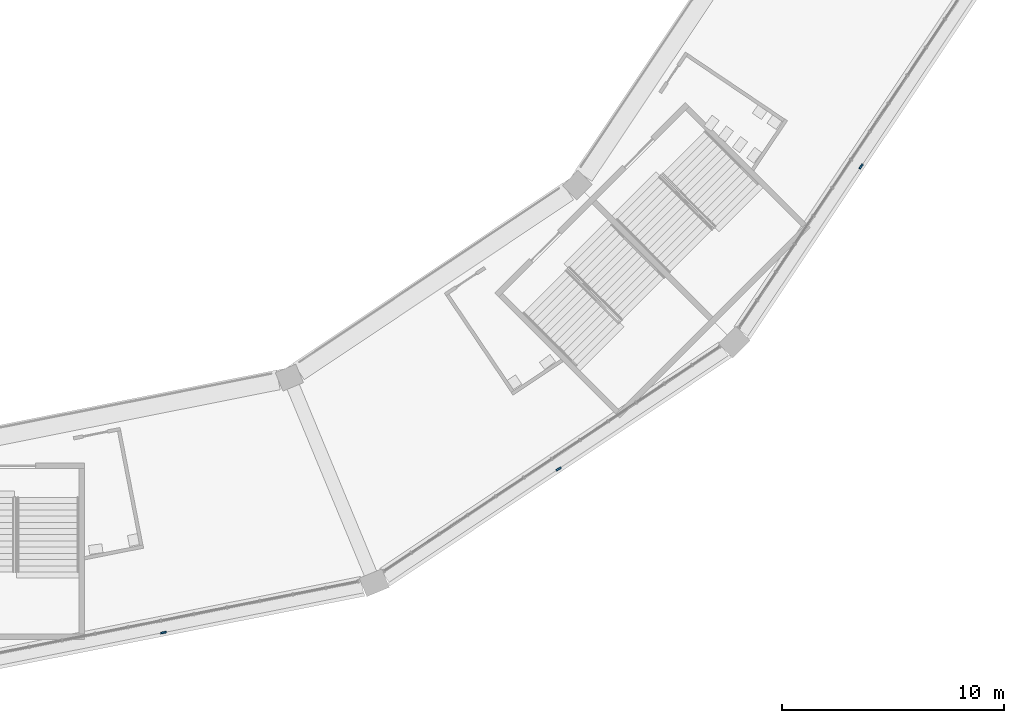
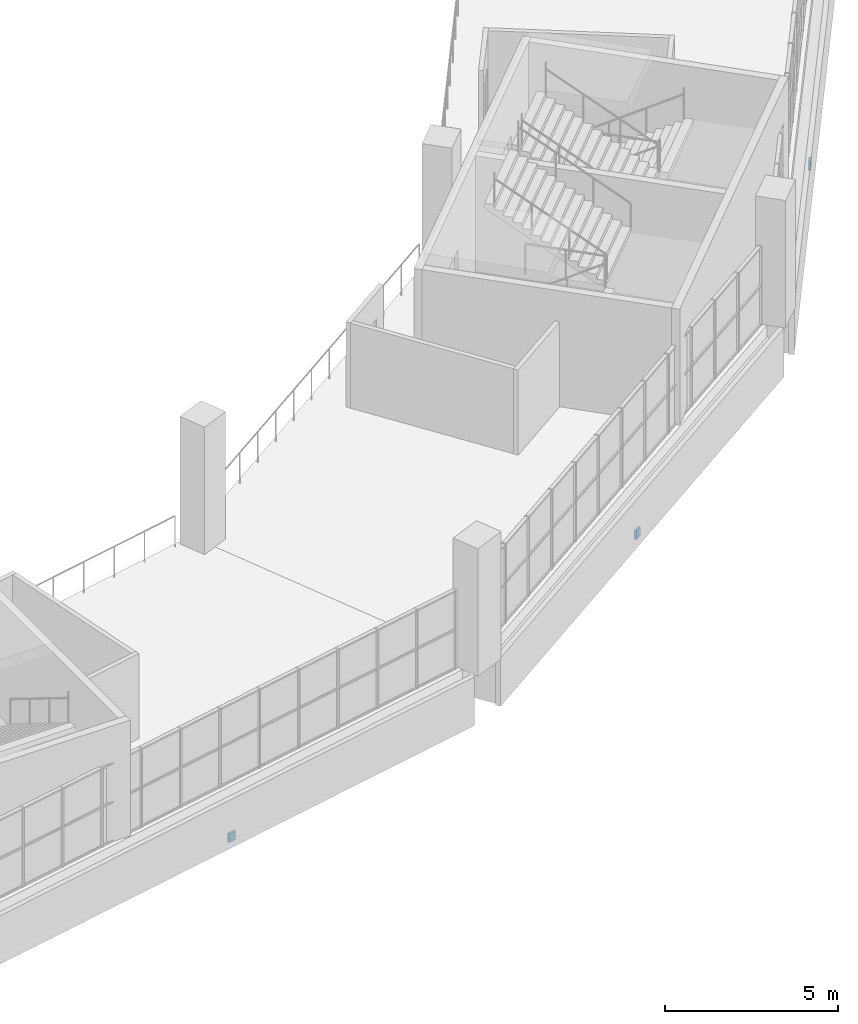
# One storey, part 74 of 177: 3 discrete accessories.
"""IFC4 building model written with IfcOpenShell, lengths in metres."""

from ifc_helpers import new_model, si_unit, direction, frame, origin, origin_2d, place, context, subcontext, project, spatial, rectangle, extrude, material, layer, layer_set, type_object, element, save


model = new_model("IFC4")

# Units and contexts
model_context = context("Model", 3, precision=1e-05, world=origin(), true_north=direction((0.0, 1.0)))
body_context = subcontext(model_context, "Body", "Model", "MODEL_VIEW")
ifc_project = project(units=[si_unit("LENGTHUNIT", "METRE"), si_unit("AREAUNIT", "SQUARE_METRE"), si_unit("VOLUMEUNIT", "CUBIC_METRE"), si_unit("PLANEANGLEUNIT", "RADIAN"), si_unit("MASSUNIT", "GRAM", prefix="KILO")], contexts=[model_context])

# Site, building, storey
site_placement = place(None, origin())
site = spatial("IfcSite", under=ifc_project, at=site_placement, CompositionType="ELEMENT")
building_placement = place(site_placement, origin())
building = spatial("IfcBuilding", under=site, at=building_placement, Name="Ogive Plaza Stadium", CompositionType="ELEMENT")
storey_placement = place(building_placement, frame((0.0, 0.0, 18.0)))
storey = spatial("IfcBuildingStorey", under=building, at=storey_placement, Name="L04", CompositionType="ELEMENT", Elevation=18.0)

# Discrete accessories
ifc_material = material(Name="Steel ASTM A572 Grade 50", Category="steel")
ifc_layer = layer(ifc_material, 0.080078125)
ifc_layer_set = layer_set([ifc_layer], Name="Steel ASTM A572 Grade 50")
discrete_accessory_type = type_object("IfcDiscreteAccessoryType", Name="Spandrel cladding bracket 250x300", PredefinedType="BRACKET", material=ifc_layer_set)
for number, where, z_axis, x_axis, name in (
    (1, (75.065673828125, -79.939208984375, -1.60986328125), (0.0, 0.0, 1.0), (-0.555570233005, -0.831469612312, 0.0), "SPANDREL BRACKET B09 L04"),
    (2, (61.439208984375, -93.565673828125, -1.60986328125), (0.0, 0.0, 1.0), (-0.831469612312, -0.555570233005, 0.0), "SPANDREL BRACKET B10 L04"),
    (3, (43.635498046875, -100.940185546875, -1.60986328125), (0.0, 0.0, 1.0), (-0.980785280403, -0.195090322016, 0.0), "SPANDREL BRACKET B11 L04"),
):
    element("IfcDiscreteAccessory", number, at=place(storey_placement, frame(where, z_axis=z_axis, x_axis=x_axis)), inside=storey, type_object=discrete_accessory_type, Name=name, PredefinedType="BRACKET", context=body_context, shape_type="SweptSolid", body=[
        extrude(rectangle(XDim=0.25, YDim=0.080078125, at=origin_2d()), origin(), (0.0, 0.0, 1.0), 0.300048828125),
    ])

save(model, "model.ifc")
